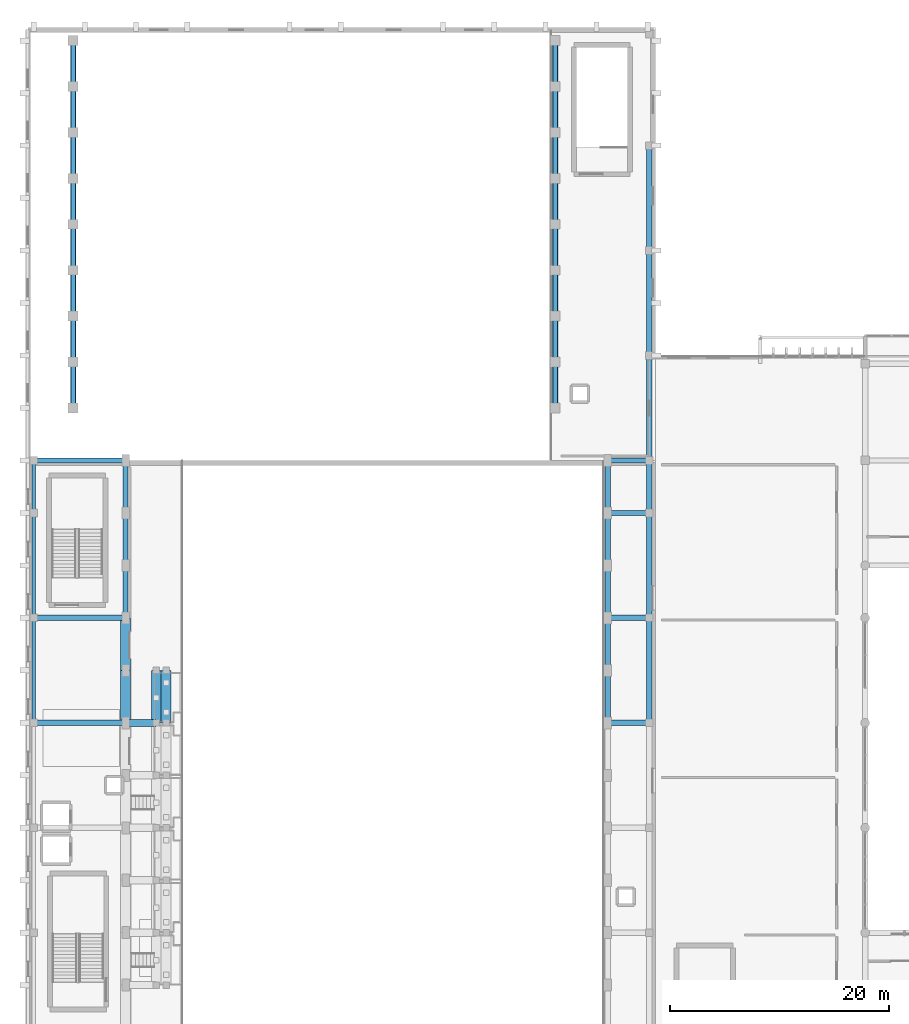
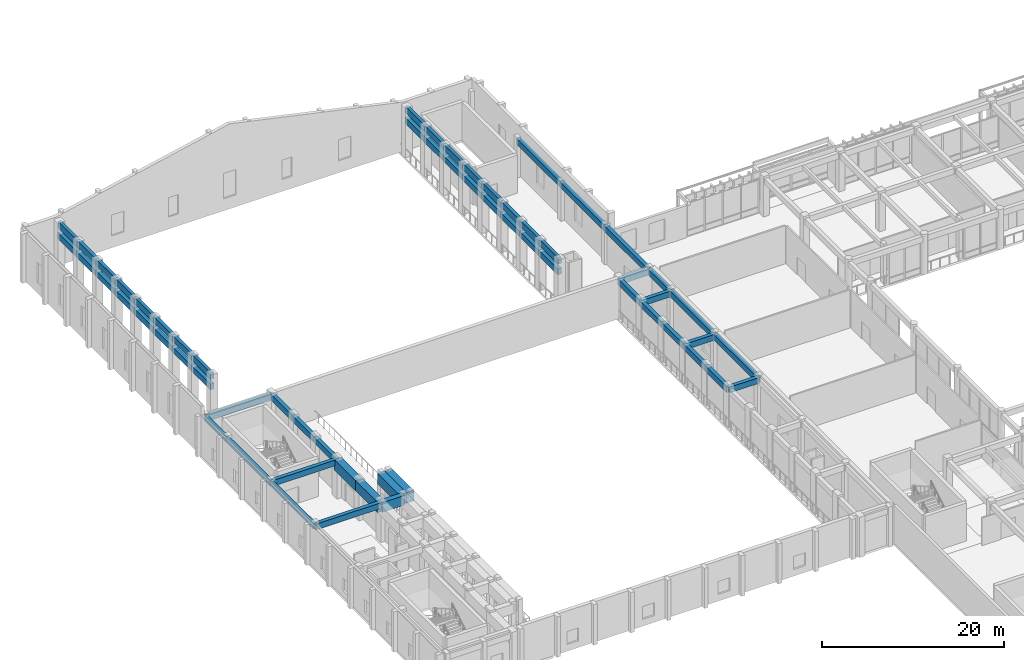
# One storey, part 37 of 134: 61 beams.
"""IFC4 building model written with IfcOpenShell, lengths in metres."""

from ifc_helpers import new_model, si_unit, direction, frame, origin, origin_2d, place, context, subcontext, project, spatial, rectangle, extrude, material, material_profile, profile_set, type_object, element, save


model = new_model("IFC4")

# Units and contexts
model_context = context("Model", 3, precision=1e-05, world=origin(), true_north=direction((0.0, 1.0)))
body_context = subcontext(model_context, "Body", "Model", "MODEL_VIEW")
ifc_project = project(units=[si_unit("LENGTHUNIT", "METRE"), si_unit("AREAUNIT", "SQUARE_METRE"), si_unit("VOLUMEUNIT", "CUBIC_METRE"), si_unit("PLANEANGLEUNIT", "RADIAN"), si_unit("MASSUNIT", "GRAM", prefix="KILO")], contexts=[model_context])

# Site, building, storey
site_placement = place(None, origin())
site = spatial("IfcSite", under=ifc_project, at=site_placement, CompositionType="ELEMENT")
building_placement = place(site_placement, origin())
building = spatial("IfcBuilding", under=site, at=building_placement, Name="Nakhvara Creek Congress Hotel", CompositionType="ELEMENT")
storey_placement = place(building_placement, frame((0.0, 0.0, 6.0)))
storey = spatial("IfcBuildingStorey", under=building, at=storey_placement, Name="L01", CompositionType="ELEMENT", Elevation=6.0)

# Beams
ifc_material_1 = material(Name="Concrete C50/60", Category="concrete")
ifc_material_profile_1 = material_profile(ifc_material_1, rectangle(XDim=0.64990234375, YDim=1.300048828125, at=origin_2d()), Name="RC-RAKER 650x1300", Category="LoadBearing")
ifc_profile_set_1 = profile_set([ifc_material_profile_1], Name="Concrete C50/60")
beam_type_1 = type_object("IfcBeamType", Name="BM-RAKER-UP", PredefinedType="BEAM", material=ifc_profile_set_1)
beam_1_placement = place(storey_placement, frame((9.14990234375, 62.39990234375, 4.449951171875), z_axis=(1.0, 0.0, 0.0), x_axis=(0.0, 1.0, 0.0)))
element("IfcBeam", 1, at=beam_1_placement, inside=storey, type_object=beam_type_1, Name="Congress Stand RAKER L02-06", PredefinedType="BEAM", context=body_context, shape_type="SweptSolid", body=[
    extrude(rectangle(XDim=0.64990234375, YDim=1.300048828125, at=origin_2d()), origin(), (0.0, 0.0, 1.0), 2.800048828125),
])
ifc_material_2 = material(Name="Concrete C40/50", Category="concrete")
ifc_material_profile_2 = material_profile(ifc_material_2, rectangle(XDim=0.47998046875, YDim=0.780029296875, at=origin_2d()), Name="RC-BM 480x780", Category="LoadBearing")
ifc_profile_set_2 = profile_set([ifc_material_profile_2], Name="Concrete C40/50")
beam_type_2 = type_object("IfcBeamType", Name="BM-RC-480X780", PredefinedType="BEAM", material=ifc_profile_set_2)
beam_2_placement = place(storey_placement, frame((0.75, 62.39990234375, 4.7099609375), z_axis=(1.0, 0.0, 0.0), x_axis=(0.0, 1.0, 0.0)))
element("IfcBeam", 2, at=beam_2_placement, inside=storey, type_object=beam_type_2, Name="Beam B13-L01-1071", PredefinedType="BEAM", context=body_context, shape_type="SweptSolid", body=[
    extrude(rectangle(XDim=0.47998046875, YDim=0.780029296875, at=origin_2d()), origin(), (0.0, 0.0, 1.0), 8.39990234375),
])
beam_3_placement = place(storey_placement, frame((57.050048828125, 62.39990234375, 4.7099609375), z_axis=(0.0, 1.0, 0.0), x_axis=(-1.0, 0.0, 0.0)))
element("IfcBeam", 3, at=beam_3_placement, inside=storey, type_object=beam_type_2, Name="Beam B13-L01-1072", PredefinedType="BEAM", context=body_context, shape_type="SweptSolid", body=[
    extrude(rectangle(XDim=0.47998046875, YDim=0.780029296875, at=origin_2d()), origin(), (0.0, 0.0, 1.0), 9.60009765625),
])
beam_4_placement = place(storey_placement, frame((53.25, 62.39990234375, 4.7099609375), z_axis=(1.0, 0.0, 0.0), x_axis=(0.0, 1.0, 0.0)))
element("IfcBeam", 4, at=beam_4_placement, inside=storey, type_object=beam_type_2, Name="Beam B13-L01-1073", PredefinedType="BEAM", context=body_context, shape_type="SweptSolid", body=[
    extrude(rectangle(XDim=0.47998046875, YDim=0.780029296875, at=origin_2d()), origin(), (0.0, 0.0, 1.0), 3.800048828125),
])
beam_5_placement = place(storey_placement, frame((0.75, 72.0, 4.7099609375), z_axis=(1.0, 0.0, 0.0), x_axis=(0.0, 1.0, 0.0)))
element("IfcBeam", 5, at=beam_5_placement, inside=storey, type_object=beam_type_2, Name="Beam B13-L01-1075", PredefinedType="BEAM", context=body_context, shape_type="SweptSolid", body=[
    extrude(rectangle(XDim=0.47998046875, YDim=0.780029296875, at=origin_2d()), origin(), (0.0, 0.0, 1.0), 8.39990234375),
])
beam_6_placement = place(storey_placement, frame((57.050048828125, 72.0, 4.7099609375), z_axis=(0.0, 1.0, 0.0), x_axis=(-1.0, 0.0, 0.0)))
element("IfcBeam", 6, at=beam_6_placement, inside=storey, type_object=beam_type_2, Name="Beam B13-L01-1076", PredefinedType="BEAM", context=body_context, shape_type="SweptSolid", body=[
    extrude(rectangle(XDim=0.47998046875, YDim=0.780029296875, at=origin_2d()), origin(), (0.0, 0.0, 1.0), 9.60009765625),
])
beam_7_placement = place(storey_placement, frame((53.25, 72.0, 4.7099609375), z_axis=(1.0, 0.0, 0.0), x_axis=(0.0, 1.0, 0.0)))
element("IfcBeam", 7, at=beam_7_placement, inside=storey, type_object=beam_type_2, Name="Beam B13-L01-1077", PredefinedType="BEAM", context=body_context, shape_type="SweptSolid", body=[
    extrude(rectangle(XDim=0.47998046875, YDim=0.780029296875, at=origin_2d()), origin(), (0.0, 0.0, 1.0), 3.800048828125),
])
beam_8_placement = place(storey_placement, frame((57.050048828125, 81.60009765625, 4.7099609375), z_axis=(0.0, 1.0, 0.0), x_axis=(-1.0, 0.0, 0.0)))
element("IfcBeam", 8, at=beam_8_placement, inside=storey, type_object=beam_type_2, Name="Beam B13-L01-1079", PredefinedType="BEAM", context=body_context, shape_type="SweptSolid", body=[
    extrude(rectangle(XDim=0.47998046875, YDim=0.780029296875, at=origin_2d()), origin(), (0.0, 0.0, 1.0), 4.7998046875),
])
beam_9_placement = place(storey_placement, frame((53.25, 81.60009765625, 4.7099609375), z_axis=(1.0, 0.0, 0.0), x_axis=(0.0, 1.0, 0.0)))
element("IfcBeam", 9, at=beam_9_placement, inside=storey, type_object=beam_type_2, Name="Beam B13-L01-1080", PredefinedType="BEAM", context=body_context, shape_type="SweptSolid", body=[
    extrude(rectangle(XDim=0.47998046875, YDim=0.780029296875, at=origin_2d()), origin(), (0.0, 0.0, 1.0), 3.800048828125),
])
beam_10_placement = place(storey_placement, frame((0.75, 86.39990234375, 4.7099609375), z_axis=(1.0, 0.0, 0.0), x_axis=(0.0, 1.0, 0.0)))
element("IfcBeam", 10, at=beam_10_placement, inside=storey, type_object=beam_type_2, Name="Beam B13-L01-1081", PredefinedType="BEAM", context=body_context, shape_type="SweptSolid", body=[
    extrude(rectangle(XDim=0.47998046875, YDim=0.780029296875, at=origin_2d()), origin(), (0.0, 0.0, 1.0), 8.39990234375),
])
beam_11_placement = place(storey_placement, frame((53.25, 86.39990234375, 4.7099609375), z_axis=(1.0, 0.0, 0.0), x_axis=(0.0, 1.0, 0.0)))
element("IfcBeam", 11, at=beam_11_placement, inside=storey, type_object=beam_type_2, Name="Beam B13-L01-1082", PredefinedType="BEAM", context=body_context, shape_type="SweptSolid", body=[
    extrude(rectangle(XDim=0.47998046875, YDim=0.780029296875, at=origin_2d()), origin(), (0.0, 0.0, 1.0), 3.800048828125),
])
beam_12_placement = place(storey_placement, frame((57.050048828125, 86.39990234375, 4.7099609375), z_axis=(0.0, 1.0, 0.0), x_axis=(-1.0, 0.0, 0.0)))
element("IfcBeam", 12, at=beam_12_placement, inside=storey, type_object=beam_type_2, Name="Beam B13-L01-1083", PredefinedType="BEAM", context=body_context, shape_type="SweptSolid", body=[
    extrude(rectangle(XDim=0.47998046875, YDim=0.780029296875, at=origin_2d()), origin(), (0.0, 0.0, 1.0), 9.60009765625),
])
for number, where, z_axis, x_axis, name in (
    (13, (53.25, 62.39990234375, 4.7099609375), (0.0, 1.0, 0.0), (-1.0, 0.0, 0.0), "Beam B13-L01-1097"),
    (14, (53.25, 67.199951171875, 4.7099609375), (0.0, 1.0, 0.0), (-1.0, 0.0, 0.0), "Beam B13-L01-1099"),
    (15, (9.14990234375, 72.0, 4.7099609375), (0.0, 1.0, 0.0), (-1.0, 0.0, 0.0), "Beam B13-L01-1100"),
    (16, (53.25, 72.0, 4.7099609375), (0.0, 1.0, 0.0), (-1.0, 0.0, 0.0), "Beam B13-L01-1101"),
    (17, (9.14990234375, 76.800048828125, 4.7099609375), (0.0, 1.0, 0.0), (-1.0, 0.0, 0.0), "Beam B13-L01-1102"),
    (18, (53.25, 76.800048828125, 4.7099609375), (0.0, 1.0, 0.0), (-1.0, 0.0, 0.0), "Beam B13-L01-1103"),
):
    element("IfcBeam", number, at=place(storey_placement, frame(where, z_axis=z_axis, x_axis=x_axis)), inside=storey, type_object=beam_type_2, Name=name, PredefinedType="BEAM", context=body_context, shape_type="SweptSolid", body=[
        extrude(rectangle(XDim=0.47998046875, YDim=0.780029296875, at=origin_2d()), origin(), (0.0, 0.0, 1.0), 4.800048828125),
    ])
for number, where, z_axis, x_axis, name in (
    (19, (9.14990234375, 81.60009765625, 4.7099609375), (0.0, 1.0, 0.0), (-1.0, 0.0, 0.0), "Beam B13-L01-1104"),
    (20, (53.25, 81.60009765625, 4.7099609375), (0.0, 1.0, 0.0), (-1.0, 0.0, 0.0), "Beam B13-L01-1105"),
):
    element("IfcBeam", number, at=place(storey_placement, frame(where, z_axis=z_axis, x_axis=x_axis)), inside=storey, type_object=beam_type_2, Name=name, PredefinedType="BEAM", context=body_context, shape_type="SweptSolid", body=[
        extrude(rectangle(XDim=0.47998046875, YDim=0.780029296875, at=origin_2d()), origin(), (0.0, 0.0, 1.0), 4.7998046875),
    ])
for number, where, z_axis, x_axis, name in (
    (21, (4.35009765625, 91.199951171875, 4.7099609375), (0.0, 1.0, 0.0), (-1.0, 0.0, 0.0), "Beam B13-L01-1118"),
    (22, (48.449951171875, 91.199951171875, 4.7099609375), (0.0, 1.0, 0.0), (-1.0, 0.0, 0.0), "Beam B13-L01-1119"),
):
    element("IfcBeam", number, at=place(storey_placement, frame(where, z_axis=z_axis, x_axis=x_axis)), inside=storey, type_object=beam_type_2, Name=name, PredefinedType="BEAM", context=body_context, shape_type="SweptSolid", body=[
        extrude(rectangle(XDim=0.47998046875, YDim=0.780029296875, at=origin_2d()), origin(), (0.0, 0.0, 1.0), 4.199951171875),
    ])
for number, where, z_axis, x_axis, name in (
    (23, (4.35009765625, 95.39990234375, 4.7099609375), (0.0, 1.0, 0.0), (-1.0, 0.0, 0.0), "Beam B13-L01-1120"),
    (24, (48.449951171875, 95.39990234375, 4.7099609375), (0.0, 1.0, 0.0), (-1.0, 0.0, 0.0), "Beam B13-L01-1121"),
):
    element("IfcBeam", number, at=place(storey_placement, frame(where, z_axis=z_axis, x_axis=x_axis)), inside=storey, type_object=beam_type_2, Name=name, PredefinedType="BEAM", context=body_context, shape_type="SweptSolid", body=[
        extrude(rectangle(XDim=0.47998046875, YDim=0.780029296875, at=origin_2d()), origin(), (0.0, 0.0, 1.0), 4.2001953125),
    ])
for number, where, z_axis, x_axis, name in (
    (25, (4.35009765625, 99.60009765625, 4.7099609375), (0.0, 1.0, 0.0), (-1.0, 0.0, 0.0), "Beam B13-L01-1122"),
    (26, (48.449951171875, 99.60009765625, 4.7099609375), (0.0, 1.0, 0.0), (-1.0, 0.0, 0.0), "Beam B13-L01-1123"),
    (27, (4.35009765625, 103.800048828125, 4.7099609375), (0.0, 1.0, 0.0), (-1.0, 0.0, 0.0), "Beam B13-L01-1124"),
    (28, (48.449951171875, 103.800048828125, 4.7099609375), (0.0, 1.0, 0.0), (-1.0, 0.0, 0.0), "Beam B13-L01-1125"),
    (29, (4.35009765625, 108.0, 4.7099609375), (0.0, 1.0, 0.0), (-1.0, 0.0, 0.0), "Beam B13-L01-1126"),
    (30, (48.449951171875, 108.0, 4.7099609375), (0.0, 1.0, 0.0), (-1.0, 0.0, 0.0), "Beam B13-L01-1127"),
    (31, (4.35009765625, 112.199951171875, 4.7099609375), (0.0, 1.0, 0.0), (-1.0, 0.0, 0.0), "Beam B13-L01-1128"),
    (32, (48.449951171875, 112.199951171875, 4.7099609375), (0.0, 1.0, 0.0), (-1.0, 0.0, 0.0), "Beam B13-L01-1129"),
):
    element("IfcBeam", number, at=place(storey_placement, frame(where, z_axis=z_axis, x_axis=x_axis)), inside=storey, type_object=beam_type_2, Name=name, PredefinedType="BEAM", context=body_context, shape_type="SweptSolid", body=[
        extrude(rectangle(XDim=0.47998046875, YDim=0.780029296875, at=origin_2d()), origin(), (0.0, 0.0, 1.0), 4.199951171875),
    ])
for number, where, z_axis, x_axis, name in (
    (33, (4.35009765625, 116.39990234375, 4.7099609375), (0.0, 1.0, 0.0), (-1.0, 0.0, 0.0), "Beam B13-L01-1130"),
    (34, (48.449951171875, 116.39990234375, 4.7099609375), (0.0, 1.0, 0.0), (-1.0, 0.0, 0.0), "Beam B13-L01-1131"),
):
    element("IfcBeam", number, at=place(storey_placement, frame(where, z_axis=z_axis, x_axis=x_axis)), inside=storey, type_object=beam_type_2, Name=name, PredefinedType="BEAM", context=body_context, shape_type="SweptSolid", body=[
        extrude(rectangle(XDim=0.47998046875, YDim=0.780029296875, at=origin_2d()), origin(), (0.0, 0.0, 1.0), 4.2001953125),
    ])
for number, where, z_axis, x_axis, name in (
    (35, (4.35009765625, 120.60009765625, 4.7099609375), (0.0, 1.0, 0.0), (-1.0, 0.0, 0.0), "Beam B13-L01-1132"),
    (36, (48.449951171875, 120.60009765625, 4.7099609375), (0.0, 1.0, 0.0), (-1.0, 0.0, 0.0), "Beam B13-L01-1133"),
):
    element("IfcBeam", number, at=place(storey_placement, frame(where, z_axis=z_axis, x_axis=x_axis)), inside=storey, type_object=beam_type_2, Name=name, PredefinedType="BEAM", context=body_context, shape_type="SweptSolid", body=[
        extrude(rectangle(XDim=0.47998046875, YDim=0.780029296875, at=origin_2d()), origin(), (0.0, 0.0, 1.0), 4.199951171875),
    ])
beam_13_placement = place(storey_placement, frame((57.050048828125, 96.0, 4.7099609375), z_axis=(0.0, 1.0, 0.0), x_axis=(-1.0, 0.0, 0.0)))
element("IfcBeam", 37, at=beam_13_placement, inside=storey, type_object=beam_type_2, Name="Beam B13-L01-1134", PredefinedType="BEAM", context=body_context, shape_type="SweptSolid", body=[
    extrude(rectangle(XDim=0.47998046875, YDim=0.780029296875, at=origin_2d()), origin(), (0.0, 0.0, 1.0), 9.60009765625),
])
beam_14_placement = place(storey_placement, frame((57.050048828125, 105.60009765625, 4.7099609375), z_axis=(0.0, 1.0, 0.0), x_axis=(-1.0, 0.0, 0.0)))
element("IfcBeam", 38, at=beam_14_placement, inside=storey, type_object=beam_type_2, Name="Beam B13-L01-1135", PredefinedType="BEAM", context=body_context, shape_type="SweptSolid", body=[
    extrude(rectangle(XDim=0.47998046875, YDim=0.780029296875, at=origin_2d()), origin(), (0.0, 0.0, 1.0), 9.599853515625),
])
ifc_material_profile_3 = material_profile(ifc_material_2, rectangle(XDim=0.35009765625, YDim=0.75, at=origin_2d()), Name="RC-SPANDREL 350x750", Category="LoadBearing")
ifc_profile_set_3 = profile_set([ifc_material_profile_3], Name="Concrete C40/50")
beam_type_3 = type_object("IfcBeamType", Name="BM-SPN-350X750", PredefinedType="SPANDREL", material=ifc_profile_set_3)
for number, where, z_axis, x_axis, name in (
    (39, (0.75, 62.39990234375, 4.72509765625), (0.0, 1.0, 0.0), (-1.0, 0.0, 0.0), "Beam SP1-L01-1070"),
    (40, (0.75, 72.0, 4.72509765625), (0.0, 1.0, 0.0), (-1.0, 0.0, 0.0), "Beam SP1-L01-1074"),
):
    element("IfcBeam", number, at=place(storey_placement, frame(where, z_axis=z_axis, x_axis=x_axis)), inside=storey, type_object=beam_type_3, Name=name, PredefinedType="SPANDREL", context=body_context, shape_type="SweptSolid", body=[
        extrude(rectangle(XDim=0.35009765625, YDim=0.75, at=origin_2d()), origin(), (0.0, 0.0, 1.0), 9.60009765625),
    ])
beam_15_placement = place(storey_placement, frame((0.75, 81.60009765625, 4.72509765625), z_axis=(0.0, 1.0, 0.0), x_axis=(-1.0, 0.0, 0.0)))
element("IfcBeam", 41, at=beam_15_placement, inside=storey, type_object=beam_type_3, Name="Beam SP1-L01-1078", PredefinedType="SPANDREL", context=body_context, shape_type="SweptSolid", body=[
    extrude(rectangle(XDim=0.35009765625, YDim=0.75, at=origin_2d()), origin(), (0.0, 0.0, 1.0), 4.7998046875),
])
ifc_material_profile_4 = material_profile(ifc_material_1, rectangle(XDim=0.39990234375, YDim=0.85009765625, at=origin_2d()), Name="RC-SPANDREL 400x850", Category="LoadBearing")
ifc_profile_set_4 = profile_set([ifc_material_profile_4], Name="Concrete C50/60")
beam_type_4 = type_object("IfcBeamType", Name="BM-SPN-400X850", PredefinedType="SPANDREL", material=ifc_profile_set_4)
beam_16_placement = place(storey_placement, frame((4.35009765625, 91.199951171875, 6.175048828125), z_axis=(0.0, 1.0, 0.0), x_axis=(-1.0, 0.0, 0.0)))
element("IfcBeam", 42, at=beam_16_placement, inside=storey, type_object=beam_type_4, Name="Ballroom Roof Ring Beam W-01", PredefinedType="SPANDREL", context=body_context, shape_type="SweptSolid", body=[
    extrude(rectangle(XDim=0.39990234375, YDim=0.85009765625, at=origin_2d()), origin(), (0.0, 0.0, 1.0), 4.199951171875),
])
beam_17_placement = place(storey_placement, frame((4.35009765625, 95.39990234375, 6.175048828125), z_axis=(0.0, 1.0, 0.0), x_axis=(-1.0, 0.0, 0.0)))
element("IfcBeam", 43, at=beam_17_placement, inside=storey, type_object=beam_type_4, Name="Ballroom Roof Ring Beam W-02", PredefinedType="SPANDREL", context=body_context, shape_type="SweptSolid", body=[
    extrude(rectangle(XDim=0.39990234375, YDim=0.85009765625, at=origin_2d()), origin(), (0.0, 0.0, 1.0), 4.2001953125),
])
for number, where, z_axis, x_axis, name in (
    (44, (4.35009765625, 99.60009765625, 6.175048828125), (0.0, 1.0, 0.0), (-1.0, 0.0, 0.0), "Ballroom Roof Ring Beam W-03"),
    (45, (4.35009765625, 103.800048828125, 6.175048828125), (0.0, 1.0, 0.0), (-1.0, 0.0, 0.0), "Ballroom Roof Ring Beam W-04"),
    (46, (4.35009765625, 108.0, 6.175048828125), (0.0, 1.0, 0.0), (-1.0, 0.0, 0.0), "Ballroom Roof Ring Beam W-05"),
    (47, (4.35009765625, 112.199951171875, 6.175048828125), (0.0, 1.0, 0.0), (-1.0, 0.0, 0.0), "Ballroom Roof Ring Beam W-06"),
):
    element("IfcBeam", number, at=place(storey_placement, frame(where, z_axis=z_axis, x_axis=x_axis)), inside=storey, type_object=beam_type_4, Name=name, PredefinedType="SPANDREL", context=body_context, shape_type="SweptSolid", body=[
        extrude(rectangle(XDim=0.39990234375, YDim=0.85009765625, at=origin_2d()), origin(), (0.0, 0.0, 1.0), 4.199951171875),
    ])
beam_18_placement = place(storey_placement, frame((4.35009765625, 116.39990234375, 6.175048828125), z_axis=(0.0, 1.0, 0.0), x_axis=(-1.0, 0.0, 0.0)))
element("IfcBeam", 48, at=beam_18_placement, inside=storey, type_object=beam_type_4, Name="Ballroom Roof Ring Beam W-07", PredefinedType="SPANDREL", context=body_context, shape_type="SweptSolid", body=[
    extrude(rectangle(XDim=0.39990234375, YDim=0.85009765625, at=origin_2d()), origin(), (0.0, 0.0, 1.0), 4.2001953125),
])
for number, where, z_axis, x_axis, name in (
    (49, (4.35009765625, 120.60009765625, 6.175048828125), (0.0, 1.0, 0.0), (-1.0, 0.0, 0.0), "Ballroom Roof Ring Beam W-08"),
    (50, (48.449951171875, 91.199951171875, 6.175048828125), (0.0, 1.0, 0.0), (-1.0, 0.0, 0.0), "Ballroom Roof Ring Beam E-01"),
):
    element("IfcBeam", number, at=place(storey_placement, frame(where, z_axis=z_axis, x_axis=x_axis)), inside=storey, type_object=beam_type_4, Name=name, PredefinedType="SPANDREL", context=body_context, shape_type="SweptSolid", body=[
        extrude(rectangle(XDim=0.39990234375, YDim=0.85009765625, at=origin_2d()), origin(), (0.0, 0.0, 1.0), 4.199951171875),
    ])
beam_19_placement = place(storey_placement, frame((48.449951171875, 95.39990234375, 6.175048828125), z_axis=(0.0, 1.0, 0.0), x_axis=(-1.0, 0.0, 0.0)))
element("IfcBeam", 51, at=beam_19_placement, inside=storey, type_object=beam_type_4, Name="Ballroom Roof Ring Beam E-02", PredefinedType="SPANDREL", context=body_context, shape_type="SweptSolid", body=[
    extrude(rectangle(XDim=0.39990234375, YDim=0.85009765625, at=origin_2d()), origin(), (0.0, 0.0, 1.0), 4.2001953125),
])
for number, where, z_axis, x_axis, name in (
    (52, (48.449951171875, 99.60009765625, 6.175048828125), (0.0, 1.0, 0.0), (-1.0, 0.0, 0.0), "Ballroom Roof Ring Beam E-03"),
    (53, (48.449951171875, 103.800048828125, 6.175048828125), (0.0, 1.0, 0.0), (-1.0, 0.0, 0.0), "Ballroom Roof Ring Beam E-04"),
    (54, (48.449951171875, 108.0, 6.175048828125), (0.0, 1.0, 0.0), (-1.0, 0.0, 0.0), "Ballroom Roof Ring Beam E-05"),
    (55, (48.449951171875, 112.199951171875, 6.175048828125), (0.0, 1.0, 0.0), (-1.0, 0.0, 0.0), "Ballroom Roof Ring Beam E-06"),
):
    element("IfcBeam", number, at=place(storey_placement, frame(where, z_axis=z_axis, x_axis=x_axis)), inside=storey, type_object=beam_type_4, Name=name, PredefinedType="SPANDREL", context=body_context, shape_type="SweptSolid", body=[
        extrude(rectangle(XDim=0.39990234375, YDim=0.85009765625, at=origin_2d()), origin(), (0.0, 0.0, 1.0), 4.199951171875),
    ])
beam_20_placement = place(storey_placement, frame((48.449951171875, 116.39990234375, 6.175048828125), z_axis=(0.0, 1.0, 0.0), x_axis=(-1.0, 0.0, 0.0)))
element("IfcBeam", 56, at=beam_20_placement, inside=storey, type_object=beam_type_4, Name="Ballroom Roof Ring Beam E-07", PredefinedType="SPANDREL", context=body_context, shape_type="SweptSolid", body=[
    extrude(rectangle(XDim=0.39990234375, YDim=0.85009765625, at=origin_2d()), origin(), (0.0, 0.0, 1.0), 4.2001953125),
])
beam_21_placement = place(storey_placement, frame((48.449951171875, 120.60009765625, 6.175048828125), z_axis=(0.0, 1.0, 0.0), x_axis=(-1.0, 0.0, 0.0)))
element("IfcBeam", 57, at=beam_21_placement, inside=storey, type_object=beam_type_4, Name="Ballroom Roof Ring Beam E-08", PredefinedType="SPANDREL", context=body_context, shape_type="SweptSolid", body=[
    extrude(rectangle(XDim=0.39990234375, YDim=0.85009765625, at=origin_2d()), origin(), (0.0, 0.0, 1.0), 4.199951171875),
])
ifc_material_profile_5 = material_profile(ifc_material_1, rectangle(XDim=0.89990234375, YDim=1.39990234375, at=origin_2d()), Name="RC-TG 900x1400", Category="LoadBearing")
ifc_profile_set_5 = profile_set([ifc_material_profile_5], Name="Concrete C50/60")
beam_type_5 = type_object("IfcBeamType", Name="BM-TG1-1400", PredefinedType="BEAM", material=ifc_profile_set_5)
for number, where, z_axis, x_axis, name in (
    (58, (9.14990234375, 62.39990234375, 4.39990234375), (0.0, 1.0, 0.0), (-1.0, 0.0, 0.0), "Transfer Girder TG1-L01-1096"),
    (59, (9.14990234375, 67.199951171875, 4.39990234375), (0.0, 1.0, 0.0), (-1.0, 0.0, 0.0), "Transfer Girder TG1-L01-1098"),
    (60, (11.949951171875, 62.39990234375, 4.39990234375), (0.0, 1.0, 0.0), (-1.0, 0.0, 0.0), "Transfer Girder TG1-L01-1116"),
    (61, (12.85009765625, 62.39990234375, 4.39990234375), (0.0, 1.0, 0.0), (-1.0, 0.0, 0.0), "Transfer Girder TG1-L01-1117"),
):
    element("IfcBeam", number, at=place(storey_placement, frame(where, z_axis=z_axis, x_axis=x_axis)), inside=storey, type_object=beam_type_5, Name=name, PredefinedType="BEAM", context=body_context, shape_type="SweptSolid", body=[
        extrude(rectangle(XDim=0.89990234375, YDim=1.39990234375, at=origin_2d()), origin(), (0.0, 0.0, 1.0), 4.800048828125),
    ])

save(model, "model.ifc")
